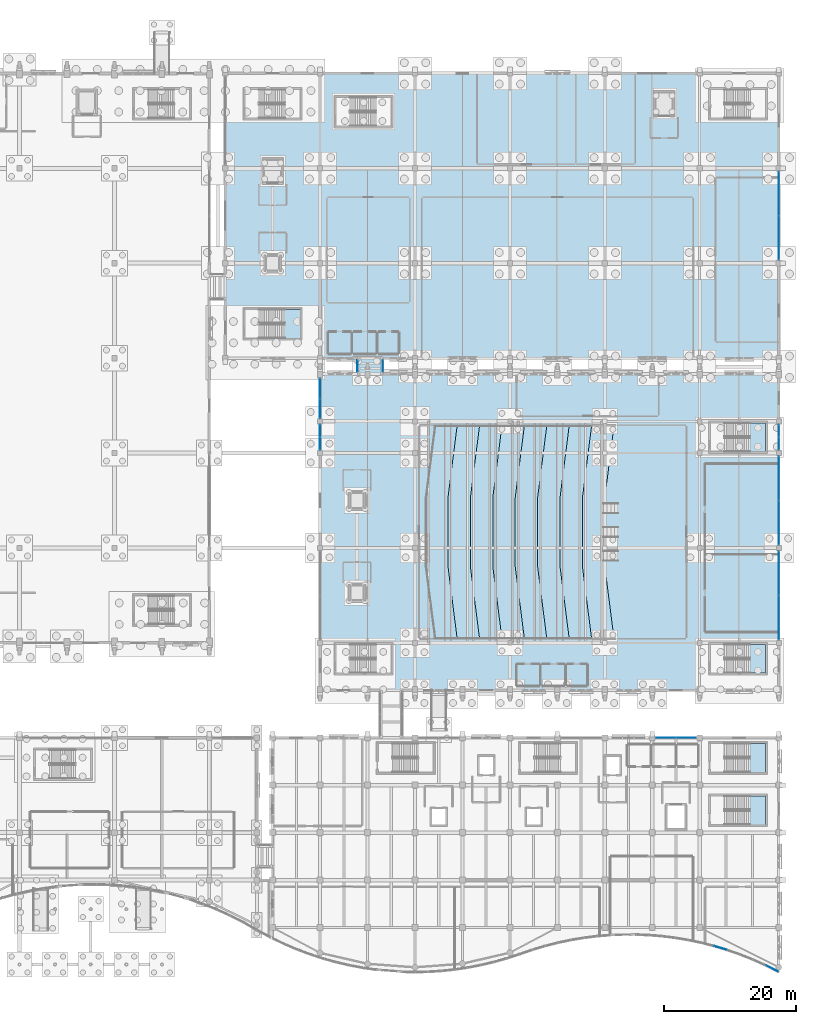
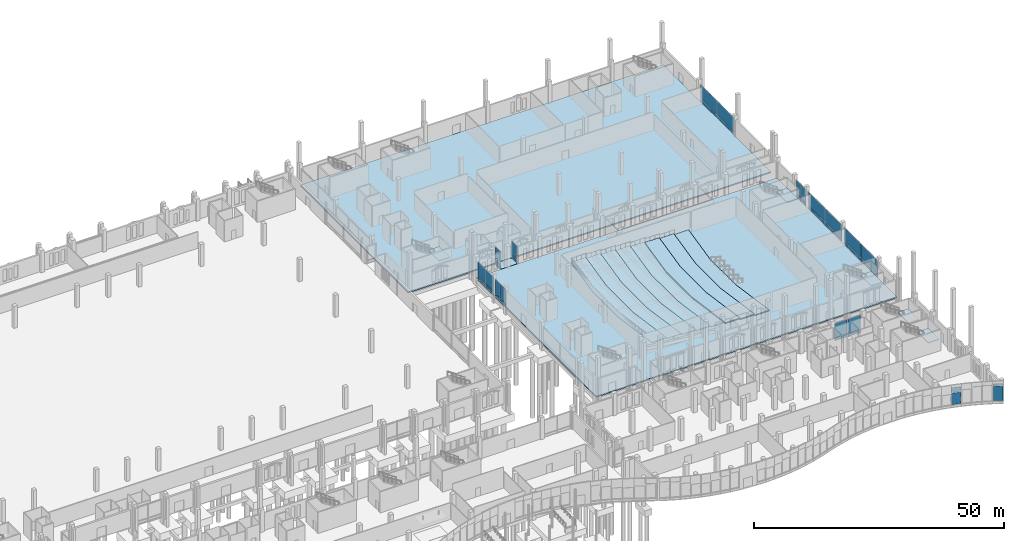
# One storey, part 128 of 192: 36 plates, 16 slabs, 16 elements without a shape of their own.
"""IFC4 building model written with IfcOpenShell, lengths in metres."""

from ifc_helpers import new_model, si_unit, direction, frame, origin, origin_2d, place, context, subcontext, project, spatial, polyline, rectangle, outline, extrude, material, layer, layer_set, type_object, element, aggregate, save


model = new_model("IFC4")

# Units and contexts
model_context = context("Model", 3, precision=1e-05, world=origin(), true_north=direction((0.0, 1.0)))
body_context = subcontext(model_context, "Body", "Model", "MODEL_VIEW")
ifc_project = project(units=[si_unit("LENGTHUNIT", "METRE"), si_unit("AREAUNIT", "SQUARE_METRE"), si_unit("VOLUMEUNIT", "CUBIC_METRE"), si_unit("PLANEANGLEUNIT", "RADIAN"), si_unit("MASSUNIT", "GRAM", prefix="KILO")], contexts=[model_context])

# Site, building, storey
site_placement = place(None, origin())
site = spatial("IfcSite", under=ifc_project, at=site_placement, CompositionType="ELEMENT")
building_placement = place(site_placement, origin())
building = spatial("IfcBuilding", under=site, at=building_placement, Name="Cendralis Lancet Convention Centre", CompositionType="ELEMENT")
storey_placement = place(building_placement, origin())
storey = spatial("IfcBuildingStorey", under=building, at=storey_placement, Name="L00", CompositionType="ELEMENT", Elevation=0.0)

# Curtain wall, plate
ifc_material_1 = material(Name="Anodised bronze architectural aluminium", Category="aluminium")
curtain_wall_type_1 = type_object("IfcCurtainWallType", Name="ARC-CW-WF02", PredefinedType="USERDEFINED", material=ifc_material_1)
curtain_wall_1_placement = place(storey_placement, origin())
curtain_wall_1 = element("IfcCurtainWall", 1, at=curtain_wall_1_placement, inside=storey, type_object=curtain_wall_type_1, Name="L00 Curtain Wall CW-WF2 #086", ObjectType="CURTAIN WALL", PredefinedType="USERDEFINED")
ifc_material_2 = material(Name="Double-glazed low-E solar-control glass", Category="glass")
ifc_layer_1 = layer(ifc_material_2, 0.035888671875, Name="Double-glazed low-E solar-control glass")
ifc_layer_set_1 = layer_set([ifc_layer_1], Name="Double-glazed low-E solar-control glass")
plate_type_1 = type_object("IfcPlateType", Name="ARC-PL-GL01", PredefinedType="CURTAIN_PANEL", material=ifc_layer_set_1)
plate_1_placement = place(storey_placement, frame((199.9384765625, 4.112060546875, 0.52001953125), z_axis=(0.0, 0.0, 1.0), x_axis=(0.957652089178, -0.287927900859, 0.0)))
plate_1 = element("IfcPlate", 2, at=plate_1_placement, type_object=plate_type_1, Name="Vision Glass Panel CW2-CW-WF2-L00-086-PG0", PredefinedType="CURTAIN_PANEL", context=body_context, shape_type="SweptSolid", body=[
    extrude(rectangle(XDim=1.916015625, YDim=0.035888671875, at=origin_2d()), origin(), (0.0, 0.0, 1.0), 2.824951171875),
])

curtain_wall_2_placement = place(storey_placement, origin())
curtain_wall_2 = element("IfcCurtainWall", 3, at=curtain_wall_2_placement, inside=storey, type_object=curtain_wall_type_1, Name="L00 Curtain Wall CW-WF2 #090", ObjectType="CURTAIN WALL", PredefinedType="USERDEFINED")
plate_2_placement = place(storey_placement, frame((207.8154296875, 0.96240234375, 0.52001953125), z_axis=(0.0, 0.0, 1.0), x_axis=(0.89215022376, -0.45173883854, 0.0)))
plate_2 = element("IfcPlate", 4, at=plate_2_placement, type_object=plate_type_1, Name="Vision Glass Panel CW2-CW-WF2-L00-090-PG0", PredefinedType="CURTAIN_PANEL", context=body_context, shape_type="SweptSolid", body=[
    extrude(rectangle(XDim=2.06689453125, YDim=0.035888671875, at=origin_2d()), origin(), (0.0, 0.0, 1.0), 3.531982421875),
])

curtain_wall_type_2 = type_object("IfcCurtainWallType", Name="ARC-CW-BR01", PredefinedType="USERDEFINED", material=ifc_material_1)
curtain_wall_3_placement = place(storey_placement, origin())
curtain_wall_3 = element("IfcCurtainWall", 5, at=curtain_wall_3_placement, inside=storey, type_object=curtain_wall_type_2, Name="L00 Curtain Wall CW-BR1 #195", ObjectType="CURTAIN WALL", PredefinedType="USERDEFINED")
plate_3_placement = place(storey_placement, frame((144.8798828125, 92.39990234375, 0.81982421875), z_axis=(0.0, 0.0, 1.0), x_axis=(0.0, 1.0, 0.0)))
plate_3 = element("IfcPlate", 6, at=plate_3_placement, type_object=plate_type_1, Name="Vision Glass Panel CW2-CW-BR1-L00-195-PG0", PredefinedType="CURTAIN_PANEL", context=body_context, shape_type="SweptSolid", body=[
    extrude(rectangle(XDim=1.760009765625, YDim=0.035888671875, at=origin_2d()), origin(), (0.0, 0.0, 1.0), 3.360107421875),
])

curtain_wall_4_placement = place(storey_placement, origin())
curtain_wall_4 = element("IfcCurtainWall", 7, at=curtain_wall_4_placement, inside=storey, type_object=curtain_wall_type_2, Name="L00 Curtain Wall CW-BR1 #196", ObjectType="CURTAIN WALL", PredefinedType="USERDEFINED")
plate_4_placement = place(storey_placement, frame((148.719970703125, 92.39990234375, 0.81982421875), z_axis=(0.0, 0.0, 1.0), x_axis=(0.0, 1.0, 0.0)))
plate_4 = element("IfcPlate", 8, at=plate_4_placement, type_object=plate_type_1, Name="Vision Glass Panel CW2-CW-BR1-L00-196-PG0", PredefinedType="CURTAIN_PANEL", context=body_context, shape_type="SweptSolid", body=[
    extrude(rectangle(XDim=1.760009765625, YDim=0.035888671875, at=origin_2d()), origin(), (0.0, 0.0, 1.0), 3.360107421875),
])

# Curtain wall, plates
curtain_wall_type_3 = type_object("IfcCurtainWallType", Name="ARC-CW-PL01", PredefinedType="USERDEFINED", material=ifc_material_1)
curtain_wall_5_placement = place(storey_placement, origin())
curtain_wall_5 = element("IfcCurtainWall", 9, at=curtain_wall_5_placement, inside=storey, type_object=curtain_wall_type_3, Name="L00 Curtain Wall CW-PL1 #113", ObjectType="CURTAIN WALL", PredefinedType="USERDEFINED")
ifc_layer_2 = layer(ifc_material_2, 0.035888671875, Name="Double-glazed low-E solar-control glass")
ifc_layer_set_2 = layer_set([ifc_layer_2], Name="Double-glazed low-E solar-control glass")
plate_type_2 = type_object("IfcPlateType", Name="ARC-PL-GL02", PredefinedType="CURTAIN_PANEL", material=ifc_layer_set_2)
plate_5_placement = place(storey_placement, frame((208.800048828125, 60.987548828125, 0.830078125), z_axis=(0.0, 0.0, 1.0), x_axis=(0.0, -1.0, 0.0)))
plate_5 = element("IfcPlate", 10, at=plate_5_placement, type_object=plate_type_2, Name="Vision Glass Panel CW2-CW-PL1-L00-113-PG0", PredefinedType="CURTAIN_PANEL", context=body_context, shape_type="SweptSolid", body=[
    extrude(rectangle(XDim=6.614990234375, YDim=0.035888671875, at=origin_2d()), origin(), (0.0, 0.0, 1.0), 3.344970703125),
])
plate_6_placement = place(storey_placement, frame((208.800048828125, 54.21240234375, 0.830078125), z_axis=(0.0, 0.0, 1.0), x_axis=(0.0, -1.0, 0.0)))
plate_6 = element("IfcPlate", 11, at=plate_6_placement, type_object=plate_type_2, Name="Vision Glass Panel CW2-CW-PL1-L00-113-PG1", PredefinedType="CURTAIN_PANEL", context=body_context, shape_type="SweptSolid", body=[
    extrude(rectangle(XDim=6.614990234375, YDim=0.035888671875, at=origin_2d()), origin(), (0.0, 0.0, 1.0), 3.344970703125),
])

curtain_wall_6_placement = place(storey_placement, origin())
curtain_wall_6 = element("IfcCurtainWall", 12, at=curtain_wall_6_placement, inside=storey, type_object=curtain_wall_type_3, Name="L00 Curtain Wall CW-PL1 #114", ObjectType="CURTAIN WALL", PredefinedType="USERDEFINED")
plate_7_placement = place(storey_placement, frame((208.800048828125, 75.387451171875, 0.830078125), z_axis=(0.0, 0.0, 1.0), x_axis=(0.0, -1.0, 0.0)))
plate_7 = element("IfcPlate", 13, at=plate_7_placement, type_object=plate_type_2, Name="Vision Glass Panel CW2-CW-PL1-L00-114-PG0", PredefinedType="CURTAIN_PANEL", context=body_context, shape_type="SweptSolid", body=[
    extrude(rectangle(XDim=6.614990234375, YDim=0.035888671875, at=origin_2d()), origin(), (0.0, 0.0, 1.0), 3.344970703125),
])
plate_8_placement = place(storey_placement, frame((208.800048828125, 68.612548828125, 0.830078125), z_axis=(0.0, 0.0, 1.0), x_axis=(0.0, -1.0, 0.0)))
plate_8 = element("IfcPlate", 14, at=plate_8_placement, type_object=plate_type_2, Name="Vision Glass Panel CW2-CW-PL1-L00-114-PG1", PredefinedType="CURTAIN_PANEL", context=body_context, shape_type="SweptSolid", body=[
    extrude(rectangle(XDim=6.614990234375, YDim=0.035888671875, at=origin_2d()), origin(), (0.0, 0.0, 1.0), 3.344970703125),
])

curtain_wall_7_placement = place(storey_placement, origin())
curtain_wall_7 = element("IfcCurtainWall", 15, at=curtain_wall_7_placement, inside=storey, type_object=curtain_wall_type_3, Name="L00 Curtain Wall CW-PL1 #115", ObjectType="CURTAIN WALL", PredefinedType="USERDEFINED")
plate_9_placement = place(storey_placement, frame((208.800048828125, 82.58740234375, 0.830078125), z_axis=(0.0, 0.0, 1.0), x_axis=(0.0, -1.0, 0.0)))
plate_9 = element("IfcPlate", 16, at=plate_9_placement, type_object=plate_type_2, Name="Vision Glass Panel CW2-CW-PL1-L00-115-PG0", PredefinedType="CURTAIN_PANEL", context=body_context, shape_type="SweptSolid", body=[
    extrude(rectangle(XDim=1.81494140625, YDim=0.035888671875, at=origin_2d()), origin(), (0.0, 0.0, 1.0), 3.344970703125),
])
plate_10_placement = place(storey_placement, frame((208.800048828125, 80.612548828125, 0.830078125), z_axis=(0.0, 0.0, 1.0), x_axis=(0.0, -1.0, 0.0)))
plate_10 = element("IfcPlate", 17, at=plate_10_placement, type_object=plate_type_2, Name="Vision Glass Panel CW2-CW-PL1-L00-115-PG1", PredefinedType="CURTAIN_PANEL", context=body_context, shape_type="SweptSolid", body=[
    extrude(rectangle(XDim=1.81494140625, YDim=0.035888671875, at=origin_2d()), origin(), (0.0, 0.0, 1.0), 3.344970703125),
])

curtain_wall_type_4 = type_object("IfcCurtainWallType", Name="ARC-CW-BL02", PredefinedType="USERDEFINED", material=ifc_material_1)
curtain_wall_8_placement = place(storey_placement, origin())
curtain_wall_8 = element("IfcCurtainWall", 18, at=curtain_wall_8_placement, inside=storey, type_object=curtain_wall_type_4, Name="L00 Curtain Wall CW-BL2 #147", ObjectType="CURTAIN WALL", PredefinedType="USERDEFINED")
plate_11_placement = place(storey_placement, frame((208.800048828125, 118.574951171875, 0.81982421875), z_axis=(0.0, 0.0, 1.0), x_axis=(0.0, -1.0, 0.0)))
plate_11 = element("IfcPlate", 19, at=plate_11_placement, type_object=plate_type_2, Name="Vision Glass Panel CW2-CW-BL2-L00-147-PG0", PredefinedType="CURTAIN_PANEL", context=body_context, shape_type="SweptSolid", body=[
    extrude(rectangle(XDim=6.590087890625, YDim=0.035888671875, at=origin_2d()), origin(), (0.0, 0.0, 1.0), 3.364990234375),
])
plate_12_placement = place(storey_placement, frame((208.800048828125, 111.824951171875, 0.81982421875), z_axis=(0.0, 0.0, 1.0), x_axis=(0.0, -1.0, 0.0)))
plate_12 = element("IfcPlate", 20, at=plate_12_placement, type_object=plate_type_2, Name="Vision Glass Panel CW2-CW-BL2-L00-147-PG1", PredefinedType="CURTAIN_PANEL", context=body_context, shape_type="SweptSolid", body=[
    extrude(rectangle(XDim=6.590087890625, YDim=0.035888671875, at=origin_2d()), origin(), (0.0, 0.0, 1.0), 3.364990234375),
])

curtain_wall_9_placement = place(storey_placement, origin())
curtain_wall_9 = element("IfcCurtainWall", 21, at=curtain_wall_9_placement, inside=storey, type_object=curtain_wall_type_3, Name="L00 Curtain Wall CW-PL1 #111", ObjectType="CURTAIN WALL", PredefinedType="USERDEFINED")
ifc_layer_3 = layer(ifc_material_2, 0.035888671875, Name="Double-glazed low-E solar-control glass")
ifc_layer_set_3 = layer_set([ifc_layer_3], Name="Double-glazed low-E solar-control glass")
plate_type_3 = type_object("IfcPlateType", Name="ARC-PL-GL03", PredefinedType="CURTAIN_PANEL", material=ifc_layer_set_3)
plate_13_placement = place(storey_placement, frame((139.199951171875, 80.612548828125, 0.81982421875), z_axis=(0.0, 0.0, 1.0), x_axis=(0.0, 1.0, 0.0)))
plate_13 = element("IfcPlate", 22, at=plate_13_placement, type_object=plate_type_3, Name="Vision Glass Panel CW2-CW-PL1-L00-111-PG0", PredefinedType="CURTAIN_PANEL", context=body_context, shape_type="SweptSolid", body=[
    extrude(rectangle(XDim=1.81494140625, YDim=0.035888671875, at=origin_2d()), origin(), (0.0, 0.0, 1.0), 3.364990234375),
])
plate_14_placement = place(storey_placement, frame((139.199951171875, 82.58740234375, 0.81982421875), z_axis=(0.0, 0.0, 1.0), x_axis=(0.0, 1.0, 0.0)))
plate_14 = element("IfcPlate", 23, at=plate_14_placement, type_object=plate_type_3, Name="Vision Glass Panel CW2-CW-PL1-L00-111-PG1", PredefinedType="CURTAIN_PANEL", context=body_context, shape_type="SweptSolid", body=[
    extrude(rectangle(XDim=1.81494140625, YDim=0.035888671875, at=origin_2d()), origin(), (0.0, 0.0, 1.0), 3.364990234375),
])

curtain_wall_10_placement = place(storey_placement, origin())
curtain_wall_10 = element("IfcCurtainWall", 24, at=curtain_wall_10_placement, inside=storey, type_object=curtain_wall_type_3, Name="L00 Curtain Wall CW-PL1 #112", ObjectType="CURTAIN WALL", PredefinedType="USERDEFINED")
plate_15_placement = place(storey_placement, frame((139.199951171875, 85.956298828125, 0.81982421875), z_axis=(0.0, 0.0, 1.0), x_axis=(0.0, 1.0, 0.0)))
plate_15 = element("IfcPlate", 25, at=plate_15_placement, type_object=plate_type_3, Name="Vision Glass Panel CW2-CW-PL1-L00-112-PG0", PredefinedType="CURTAIN_PANEL", context=body_context, shape_type="SweptSolid", body=[
    extrude(rectangle(XDim=2.902587890625, YDim=0.035888671875, at=origin_2d()), origin(), (0.0, 0.0, 1.0), 3.364990234375),
])
plate_16_placement = place(storey_placement, frame((139.199951171875, 89.018798828125, 0.81982421875), z_axis=(0.0, 0.0, 1.0), x_axis=(0.0, 1.0, 0.0)))
plate_16 = element("IfcPlate", 26, at=plate_16_placement, type_object=plate_type_3, Name="Vision Glass Panel CW2-CW-PL1-L00-112-PG1", PredefinedType="CURTAIN_PANEL", context=body_context, shape_type="SweptSolid", body=[
    extrude(rectangle(XDim=2.902587890625, YDim=0.035888671875, at=origin_2d()), origin(), (0.0, 0.0, 1.0), 3.364990234375),
])

curtain_wall_type_5 = type_object("IfcCurtainWallType", Name="ARC-CW-CL01", PredefinedType="USERDEFINED", material=ifc_material_1)
curtain_wall_11_placement = place(storey_placement, origin())
curtain_wall_11 = element("IfcCurtainWall", 27, at=curtain_wall_11_placement, inside=storey, type_object=curtain_wall_type_5, Name="L00 Curtain Wall CW-CL1 #181", ObjectType="CURTAIN WALL", PredefinedType="USERDEFINED")
plate_17_placement = place(storey_placement, frame((191.64990234375, 36.0, 0.81982421875), z_axis=(0.0, 0.0, 1.0), x_axis=(1.0, 0.0, 0.0)))
plate_17 = element("IfcPlate", 28, at=plate_17_placement, type_object=plate_type_3, Name="Vision Glass Panel CW2-CW-CL1-L00-181-PG0", PredefinedType="CURTAIN_PANEL", context=body_context, shape_type="SweptSolid", body=[
    extrude(rectangle(XDim=2.9599609375, YDim=0.035888671875, at=origin_2d()), origin(), (0.0, 0.0, 1.0), 3.465087890625),
])
plate_18_placement = place(storey_placement, frame((194.75, 36.0, 0.81982421875), z_axis=(0.0, 0.0, 1.0), x_axis=(1.0, 0.0, 0.0)))
plate_18 = element("IfcPlate", 29, at=plate_18_placement, type_object=plate_type_3, Name="Vision Glass Panel CW2-CW-CL1-L00-181-PG1", PredefinedType="CURTAIN_PANEL", context=body_context, shape_type="SweptSolid", body=[
    extrude(rectangle(XDim=2.9599609375, YDim=0.035888671875, at=origin_2d()), origin(), (0.0, 0.0, 1.0), 3.465087890625),
])

# Plate
ifc_material_3 = material(Name="Insulated ceramic-fritted spandrel glass", Category="glass")
ifc_layer_4 = layer(ifc_material_3, 0.044921875, Name="Insulated ceramic-fritted spandrel glass")
ifc_layer_set_4 = layer_set([ifc_layer_4], Name="Insulated ceramic-fritted spandrel glass")
plate_type_4 = type_object("IfcPlateType", Name="ARC-PL-SP01", PredefinedType="CURTAIN_PANEL", material=ifc_layer_set_4)
plate_19_placement = place(storey_placement, frame((199.9384765625, 4.112060546875, 3.48486328125), z_axis=(0.0, 0.0, 1.0), x_axis=(0.957652089178, -0.287927900859, 0.0)))
plate_19 = element("IfcPlate", 30, at=plate_19_placement, type_object=plate_type_4, Name="Spandrel Panel CW2-CW-WF2-L00-086-PS0", PredefinedType="CURTAIN_PANEL", context=body_context, shape_type="SweptSolid", body=[
    extrude(rectangle(XDim=1.916015625, YDim=0.044921875, at=origin_2d()), origin(), (0.0, 0.0, 1.0), 1.199951171875),
])

aggregate(curtain_wall_1, [plate_1, plate_19])

plate_20_placement = place(storey_placement, frame((207.8154296875, 0.96240234375, 4.19189453125), z_axis=(0.0, 0.0, 1.0), x_axis=(0.89215022376, -0.45173883854, 0.0)))
plate_20 = element("IfcPlate", 31, at=plate_20_placement, type_object=plate_type_4, Name="Spandrel Panel CW2-CW-WF2-L00-090-PS0", PredefinedType="CURTAIN_PANEL", context=body_context, shape_type="SweptSolid", body=[
    extrude(rectangle(XDim=2.06689453125, YDim=0.044921875, at=origin_2d()), origin(), (0.0, 0.0, 1.0), 0.492919921875),
])

aggregate(curtain_wall_2, [plate_2, plate_20])

plate_21_placement = place(storey_placement, frame((139.199951171875, 80.612548828125, 0.06982421875), z_axis=(0.0, 0.0, 1.0), x_axis=(0.0, 1.0, 0.0)))
plate_21 = element("IfcPlate", 32, at=plate_21_placement, type_object=plate_type_4, Name="Spandrel Panel CW2-CW-PL1-L00-111-PS0", PredefinedType="CURTAIN_PANEL", context=body_context, shape_type="SweptSolid", body=[
    extrude(rectangle(XDim=1.81494140625, YDim=0.044921875, at=origin_2d()), origin(), (0.0, 0.0, 1.0), 0.610107421875),
])

plate_22_placement = place(storey_placement, frame((139.199951171875, 82.58740234375, 0.06982421875), z_axis=(0.0, 0.0, 1.0), x_axis=(0.0, 1.0, 0.0)))
plate_22 = element("IfcPlate", 33, at=plate_22_placement, type_object=plate_type_4, Name="Spandrel Panel CW2-CW-PL1-L00-111-PS1", PredefinedType="CURTAIN_PANEL", context=body_context, shape_type="SweptSolid", body=[
    extrude(rectangle(XDim=1.81494140625, YDim=0.044921875, at=origin_2d()), origin(), (0.0, 0.0, 1.0), 0.610107421875),
])

aggregate(curtain_wall_9, [plate_21, plate_13, plate_22, plate_14])

plate_23_placement = place(storey_placement, frame((139.199951171875, 85.956298828125, 0.06982421875), z_axis=(0.0, 0.0, 1.0), x_axis=(0.0, 1.0, 0.0)))
plate_23 = element("IfcPlate", 34, at=plate_23_placement, type_object=plate_type_4, Name="Spandrel Panel CW2-CW-PL1-L00-112-PS0", PredefinedType="CURTAIN_PANEL", context=body_context, shape_type="SweptSolid", body=[
    extrude(rectangle(XDim=2.902587890625, YDim=0.044921875, at=origin_2d()), origin(), (0.0, 0.0, 1.0), 0.610107421875),
])

plate_24_placement = place(storey_placement, frame((139.199951171875, 89.018798828125, 0.06982421875), z_axis=(0.0, 0.0, 1.0), x_axis=(0.0, 1.0, 0.0)))
plate_24 = element("IfcPlate", 35, at=plate_24_placement, type_object=plate_type_4, Name="Spandrel Panel CW2-CW-PL1-L00-112-PS1", PredefinedType="CURTAIN_PANEL", context=body_context, shape_type="SweptSolid", body=[
    extrude(rectangle(XDim=2.902587890625, YDim=0.044921875, at=origin_2d()), origin(), (0.0, 0.0, 1.0), 0.610107421875),
])

aggregate(curtain_wall_10, [plate_23, plate_15, plate_24, plate_16])

plate_25_placement = place(storey_placement, frame((208.800048828125, 60.987548828125, 0.080078125), z_axis=(0.0, 0.0, 1.0), x_axis=(0.0, -1.0, 0.0)))
plate_25 = element("IfcPlate", 36, at=plate_25_placement, type_object=plate_type_4, Name="Spandrel Panel CW2-CW-PL1-L00-113-PS0", PredefinedType="CURTAIN_PANEL", context=body_context, shape_type="SweptSolid", body=[
    extrude(rectangle(XDim=6.614990234375, YDim=0.044921875, at=origin_2d()), origin(), (0.0, 0.0, 1.0), 0.590087890625),
])

plate_26_placement = place(storey_placement, frame((208.800048828125, 54.21240234375, 0.080078125), z_axis=(0.0, 0.0, 1.0), x_axis=(0.0, -1.0, 0.0)))
plate_26 = element("IfcPlate", 37, at=plate_26_placement, type_object=plate_type_4, Name="Spandrel Panel CW2-CW-PL1-L00-113-PS1", PredefinedType="CURTAIN_PANEL", context=body_context, shape_type="SweptSolid", body=[
    extrude(rectangle(XDim=6.614990234375, YDim=0.044921875, at=origin_2d()), origin(), (0.0, 0.0, 1.0), 0.590087890625),
])

aggregate(curtain_wall_5, [plate_25, plate_5, plate_26, plate_6])

plate_27_placement = place(storey_placement, frame((208.800048828125, 75.387451171875, 0.080078125), z_axis=(0.0, 0.0, 1.0), x_axis=(0.0, -1.0, 0.0)))
plate_27 = element("IfcPlate", 38, at=plate_27_placement, type_object=plate_type_4, Name="Spandrel Panel CW2-CW-PL1-L00-114-PS0", PredefinedType="CURTAIN_PANEL", context=body_context, shape_type="SweptSolid", body=[
    extrude(rectangle(XDim=6.614990234375, YDim=0.044921875, at=origin_2d()), origin(), (0.0, 0.0, 1.0), 0.590087890625),
])

plate_28_placement = place(storey_placement, frame((208.800048828125, 68.612548828125, 0.080078125), z_axis=(0.0, 0.0, 1.0), x_axis=(0.0, -1.0, 0.0)))
plate_28 = element("IfcPlate", 39, at=plate_28_placement, type_object=plate_type_4, Name="Spandrel Panel CW2-CW-PL1-L00-114-PS1", PredefinedType="CURTAIN_PANEL", context=body_context, shape_type="SweptSolid", body=[
    extrude(rectangle(XDim=6.614990234375, YDim=0.044921875, at=origin_2d()), origin(), (0.0, 0.0, 1.0), 0.590087890625),
])

aggregate(curtain_wall_6, [plate_27, plate_7, plate_28, plate_8])

plate_29_placement = place(storey_placement, frame((208.800048828125, 82.58740234375, 0.080078125), z_axis=(0.0, 0.0, 1.0), x_axis=(0.0, -1.0, 0.0)))
plate_29 = element("IfcPlate", 40, at=plate_29_placement, type_object=plate_type_4, Name="Spandrel Panel CW2-CW-PL1-L00-115-PS0", PredefinedType="CURTAIN_PANEL", context=body_context, shape_type="SweptSolid", body=[
    extrude(rectangle(XDim=1.81494140625, YDim=0.044921875, at=origin_2d()), origin(), (0.0, 0.0, 1.0), 0.590087890625),
])

plate_30_placement = place(storey_placement, frame((208.800048828125, 80.612548828125, 0.080078125), z_axis=(0.0, 0.0, 1.0), x_axis=(0.0, -1.0, 0.0)))
plate_30 = element("IfcPlate", 41, at=plate_30_placement, type_object=plate_type_4, Name="Spandrel Panel CW2-CW-PL1-L00-115-PS1", PredefinedType="CURTAIN_PANEL", context=body_context, shape_type="SweptSolid", body=[
    extrude(rectangle(XDim=1.81494140625, YDim=0.044921875, at=origin_2d()), origin(), (0.0, 0.0, 1.0), 0.590087890625),
])

aggregate(curtain_wall_7, [plate_29, plate_9, plate_30, plate_10])

plate_31_placement = place(storey_placement, frame((208.800048828125, 118.574951171875, 0.06982421875), z_axis=(0.0, 0.0, 1.0), x_axis=(0.0, -1.0, 0.0)))
plate_31 = element("IfcPlate", 42, at=plate_31_placement, type_object=plate_type_4, Name="Spandrel Panel CW2-CW-BL2-L00-147-PS0", PredefinedType="CURTAIN_PANEL", context=body_context, shape_type="SweptSolid", body=[
    extrude(rectangle(XDim=6.590087890625, YDim=0.044921875, at=origin_2d()), origin(), (0.0, 0.0, 1.0), 0.610107421875),
])

plate_32_placement = place(storey_placement, frame((208.800048828125, 111.824951171875, 0.06982421875), z_axis=(0.0, 0.0, 1.0), x_axis=(0.0, -1.0, 0.0)))
plate_32 = element("IfcPlate", 43, at=plate_32_placement, type_object=plate_type_4, Name="Spandrel Panel CW2-CW-BL2-L00-147-PS1", PredefinedType="CURTAIN_PANEL", context=body_context, shape_type="SweptSolid", body=[
    extrude(rectangle(XDim=6.590087890625, YDim=0.044921875, at=origin_2d()), origin(), (0.0, 0.0, 1.0), 0.610107421875),
])

aggregate(curtain_wall_8, [plate_31, plate_11, plate_32, plate_12])

plate_33_placement = place(storey_placement, frame((191.64990234375, 36.0, 0.06982421875), z_axis=(0.0, 0.0, 1.0), x_axis=(1.0, 0.0, 0.0)))
plate_33 = element("IfcPlate", 44, at=plate_33_placement, type_object=plate_type_4, Name="Spandrel Panel CW2-CW-CL1-L00-181-PS0", PredefinedType="CURTAIN_PANEL", context=body_context, shape_type="SweptSolid", body=[
    extrude(rectangle(XDim=2.9599609375, YDim=0.044921875, at=origin_2d()), origin(), (0.0, 0.0, 1.0), 0.610107421875),
])

plate_34_placement = place(storey_placement, frame((194.75, 36.0, 0.06982421875), z_axis=(0.0, 0.0, 1.0), x_axis=(1.0, 0.0, 0.0)))
plate_34 = element("IfcPlate", 45, at=plate_34_placement, type_object=plate_type_4, Name="Spandrel Panel CW2-CW-CL1-L00-181-PS1", PredefinedType="CURTAIN_PANEL", context=body_context, shape_type="SweptSolid", body=[
    extrude(rectangle(XDim=2.9599609375, YDim=0.044921875, at=origin_2d()), origin(), (0.0, 0.0, 1.0), 0.610107421875),
])

aggregate(curtain_wall_11, [plate_33, plate_17, plate_34, plate_18])

plate_35_placement = place(storey_placement, frame((144.8798828125, 92.39990234375, 0.06982421875), z_axis=(0.0, 0.0, 1.0), x_axis=(0.0, 1.0, 0.0)))
plate_35 = element("IfcPlate", 46, at=plate_35_placement, type_object=plate_type_4, Name="Spandrel Panel CW2-CW-BR1-L00-195-PS0", PredefinedType="CURTAIN_PANEL", context=body_context, shape_type="SweptSolid", body=[
    extrude(rectangle(XDim=1.760009765625, YDim=0.044921875, at=origin_2d()), origin(), (0.0, 0.0, 1.0), 0.610107421875),
])

aggregate(curtain_wall_3, [plate_35, plate_3])

plate_36_placement = place(storey_placement, frame((148.719970703125, 92.39990234375, 0.06982421875), z_axis=(0.0, 0.0, 1.0), x_axis=(0.0, 1.0, 0.0)))
plate_36 = element("IfcPlate", 47, at=plate_36_placement, type_object=plate_type_4, Name="Spandrel Panel CW2-CW-BR1-L00-196-PS0", PredefinedType="CURTAIN_PANEL", context=body_context, shape_type="SweptSolid", body=[
    extrude(rectangle(XDim=1.760009765625, YDim=0.044921875, at=origin_2d()), origin(), (0.0, 0.0, 1.0), 0.610107421875),
])

aggregate(curtain_wall_4, [plate_36, plate_4])

# Slabs
ifc_material_4 = material(Name="Concrete G35 (C35/45)", Category="concrete")
ifc_layer_5 = layer(ifc_material_4, 0.219970703125, Name="Concrete G35 (C35/45)")
ifc_layer_set_5 = layer_set([ifc_layer_5], Name="Concrete G35 (C35/45)")
slab_type_1 = type_object("IfcSlabType", Name="STR-SL-FS22", PredefinedType="FLOOR", material=ifc_layer_set_5)
slab_1_placement = place(storey_placement, frame((0.0, 0.0, -0.219970703125)))
element("IfcSlab", 48, at=slab_1_placement, inside=storey, type_object=slab_type_1, Name="Plenary-Ballroom Link Bridge Link Slab L00", PredefinedType="FLOOR", context=body_context, shape_type="SweptSolid", body=[
    extrude(outline(polyline([(145.14990234375, 91.199951171875), (148.449951171875, 91.199951171875), (148.800048828125, 91.550048828125), (148.800048828125, 93.25), (148.449951171875, 93.60009765625), (145.14990234375, 93.60009765625), (144.800048828125, 93.25), (144.800048828125, 91.550048828125), (145.14990234375, 91.199951171875)])), origin(), (0.0, 0.0, 1.0), 0.219970703125),
])
ifc_layer_6 = layer(ifc_material_4, 0.300048828125, Name="Concrete G35 (C35/45)")
ifc_layer_set_6 = layer_set([ifc_layer_6], Name="Concrete G35 (C35/45)")
slab_type_2 = type_object("IfcSlabType", Name="STR-SL-FS30", PredefinedType="FLOOR", material=ifc_layer_set_6)
slab_2_placement = place(storey_placement, frame((0.0, 0.0, -0.300048828125)))
element("IfcSlab", 49, at=slab_2_placement, inside=storey, type_object=slab_type_2, Name="L00 V2 Floor Slab FS-300", PredefinedType="FLOOR", context=body_context, shape_type="SweptSolid", body=[
    extrude(outline(polyline([(139.199951171875, 43.199951171875), (208.800048828125, 43.199951171875), (208.800048828125, 91.199951171875), (139.199951171875, 91.199951171875), (139.199951171875, 43.199951171875)])), origin(), (0.0, 0.0, 1.0), 0.300048828125),
])
slab_3_placement = place(storey_placement, frame((0.0, 0.0, -0.300048828125)))
element("IfcSlab", 50, at=slab_3_placement, inside=storey, type_object=slab_type_2, Name="L00 V3 Floor Slab FS-300", PredefinedType="FLOOR", context=body_context, shape_type="SweptSolid", body=[
    extrude(outline(polyline([(124.800048828125, 93.60009765625), (208.800048828125, 93.60009765625), (208.800048828125, 136.800048828125), (124.800048828125, 136.800048828125), (124.800048828125, 93.60009765625)])), origin(), (0.0, 0.0, 1.0), 0.300048828125),
])

# Stair, slab
stair_type = type_object("IfcStairType", Name="ARC-ST-CORE", PredefinedType="HALF_TURN_STAIR", material=ifc_material_4)
stair_1_placement = place(storey_placement, origin())
stair_1 = element("IfcStair", 51, at=stair_1_placement, inside=storey, type_object=stair_type, Name="L00 Protected Exit Stair ST-07", PredefinedType="HALF_TURN_STAIR")
ifc_layer_7 = layer(ifc_material_4, 0.199951171875, Name="Concrete G35 (C35/45)")
ifc_layer_set_7 = layer_set([ifc_layer_7], Name="Concrete G35 (C35/45)")
slab_type_3 = type_object("IfcSlabType", Name="STR-SL-LAND", PredefinedType="LANDING", material=ifc_layer_set_7)
slab_4_placement = place(storey_placement, frame((0.0, 0.0, 2.5)))
slab_4 = element("IfcSlab", 52, at=slab_4_placement, type_object=slab_type_3, Name="ST-07 landing 1", PredefinedType="LANDING", context=body_context, shape_type="SweptSolid", body=[
    extrude(outline(polyline([(133.7099609375, 96.60009765625), (136.199951171875, 96.60009765625), (136.199951171875, 100.97998046875), (133.7099609375, 100.97998046875), (133.7099609375, 96.60009765625)])), origin(), (0.0, 0.0, 1.0), 0.199951171875),
])
aggregate(stair_1, [slab_4])

stair_2_placement = place(storey_placement, origin())
stair_2 = element("IfcStair", 53, at=stair_2_placement, inside=storey, type_object=stair_type, Name="L00 Protected Exit Stair ST-09", PredefinedType="HALF_TURN_STAIR")
slab_5_placement = place(storey_placement, frame((0.0, 0.0, 2.5)))
slab_5 = element("IfcSlab", 54, at=slab_5_placement, type_object=slab_type_3, Name="ST-09 landing 1", PredefinedType="LANDING", context=body_context, shape_type="SweptSolid", body=[
    extrude(outline(polyline([(204.31005859375, 45.800048828125), (206.800048828125, 45.800048828125), (206.800048828125, 50.179931640625), (204.31005859375, 50.179931640625), (204.31005859375, 45.800048828125)])), origin(), (0.0, 0.0, 1.0), 0.199951171875),
])
aggregate(stair_2, [slab_5])

stair_3_placement = place(storey_placement, origin())
stair_3 = element("IfcStair", 55, at=stair_3_placement, inside=storey, type_object=stair_type, Name="L00 Protected Exit Stair ST-10", PredefinedType="HALF_TURN_STAIR")
slab_6_placement = place(storey_placement, frame((0.0, 0.0, 2.5)))
slab_6 = element("IfcSlab", 56, at=slab_6_placement, type_object=slab_type_3, Name="ST-10 landing 1", PredefinedType="LANDING", context=body_context, shape_type="SweptSolid", body=[
    extrude(outline(polyline([(204.31005859375, 79.39990234375), (206.800048828125, 79.39990234375), (206.800048828125, 83.780029296875), (204.31005859375, 83.780029296875), (204.31005859375, 79.39990234375)])), origin(), (0.0, 0.0, 1.0), 0.199951171875),
])
aggregate(stair_3, [slab_6])

stair_4_placement = place(storey_placement, origin())
stair_4 = element("IfcStair", 57, at=stair_4_placement, inside=storey, type_object=stair_type, Name="L00 Protected Exit Stair ST-15", PredefinedType="HALF_TURN_STAIR")
slab_7_placement = place(storey_placement, frame((0.0, 0.0, 2.5)))
slab_7 = element("IfcSlab", 58, at=slab_7_placement, type_object=slab_type_3, Name="ST-15 landing 1", PredefinedType="LANDING", context=body_context, shape_type="SweptSolid", body=[
    extrude(outline(polyline([(204.31005859375, 22.800048828125), (206.800048828125, 22.800048828125), (206.800048828125, 27.179931640625), (204.31005859375, 27.179931640625), (204.31005859375, 22.800048828125)])), origin(), (0.0, 0.0, 1.0), 0.199951171875),
])
aggregate(stair_4, [slab_7])

stair_5_placement = place(storey_placement, origin())
stair_5 = element("IfcStair", 59, at=stair_5_placement, inside=storey, type_object=stair_type, Name="L00 Protected Exit Stair ST-16", PredefinedType="HALF_TURN_STAIR")
slab_8_placement = place(storey_placement, frame((0.0, 0.0, 2.5)))
slab_8 = element("IfcSlab", 60, at=slab_8_placement, type_object=slab_type_3, Name="ST-16 landing 1", PredefinedType="LANDING", context=body_context, shape_type="SweptSolid", body=[
    extrude(outline(polyline([(204.31005859375, 30.75), (206.800048828125, 30.75), (206.800048828125, 35.1298828125), (204.31005859375, 35.1298828125), (204.31005859375, 30.75)])), origin(), (0.0, 0.0, 1.0), 0.199951171875),
])
aggregate(stair_5, [slab_8])

# Slabs
ifc_layer_8 = layer(ifc_material_4, 0.18994140625, Name="Concrete G35 (C35/45)")
ifc_layer_set_8 = layer_set([ifc_layer_8], Name="Concrete G35 (C35/45)")
slab_type_4 = type_object("IfcSlabType", Name="STR-SL-ST18", PredefinedType="USERDEFINED", material=ifc_layer_set_8)
slab_9_placement = place(storey_placement, frame((0.0, 0.0, 0.56005859375)))
element("IfcSlab", 61, at=slab_9_placement, inside=storey, type_object=slab_type_4, Name="Stand Lower Tier Row 01", ObjectType="SEATING TIER", PredefinedType="USERDEFINED", context=body_context, shape_type="SweptSolid", body=[
    extrude(outline(polyline([(180.39990234375, 51.0), (183.800048828125, 51.0), (182.39990234375, 62.0), (182.39990234375, 72.39990234375), (183.800048828125, 83.39990234375), (180.39990234375, 83.39990234375), (179.0, 72.39990234375), (179.0, 62.0), (180.39990234375, 51.0)])), origin(), (0.0, 0.0, 1.0), 0.18994140625),
])
slab_10_placement = place(storey_placement, frame((0.0, 0.0, 0.7900390625)))
element("IfcSlab", 62, at=slab_10_placement, inside=storey, type_object=slab_type_4, Name="Stand Lower Tier Row 02", ObjectType="SEATING TIER", PredefinedType="USERDEFINED", context=body_context, shape_type="SweptSolid", body=[
    extrude(outline(polyline([(177.0, 51.0), (180.39990234375, 51.0), (179.0, 62.0), (179.0, 72.39990234375), (180.39990234375, 83.39990234375), (177.0, 83.39990234375), (175.60009765625, 72.39990234375), (175.60009765625, 62.0), (177.0, 51.0)])), origin(), (0.0, 0.0, 1.0), 0.18994140625),
])
slab_11_placement = place(storey_placement, frame((0.0, 0.0, 1.02001953125)))
element("IfcSlab", 63, at=slab_11_placement, inside=storey, type_object=slab_type_4, Name="Stand Lower Tier Row 03", ObjectType="SEATING TIER", PredefinedType="USERDEFINED", context=body_context, shape_type="SweptSolid", body=[
    extrude(outline(polyline([(173.60009765625, 51.0), (177.0, 51.0), (175.60009765625, 62.0), (175.60009765625, 72.39990234375), (177.0, 83.39990234375), (173.60009765625, 83.39990234375), (172.199951171875, 72.39990234375), (172.199951171875, 62.0), (173.60009765625, 51.0)])), origin(), (0.0, 0.0, 1.0), 0.18994140625),
])
slab_12_placement = place(storey_placement, frame((0.0, 0.0, 1.25)))
element("IfcSlab", 64, at=slab_12_placement, inside=storey, type_object=slab_type_4, Name="Stand Lower Tier Row 04", ObjectType="SEATING TIER", PredefinedType="USERDEFINED", context=body_context, shape_type="SweptSolid", body=[
    extrude(outline(polyline([(170.199951171875, 51.0), (173.60009765625, 51.0), (172.199951171875, 62.0), (172.199951171875, 72.39990234375), (173.60009765625, 83.39990234375), (170.199951171875, 83.39990234375), (168.800048828125, 72.39990234375), (168.800048828125, 62.0), (170.199951171875, 51.0)])), origin(), (0.0, 0.0, 1.0), 0.18994140625),
])
slab_13_placement = place(storey_placement, frame((0.0, 0.0, 1.47998046875)))
element("IfcSlab", 65, at=slab_13_placement, inside=storey, type_object=slab_type_4, Name="Stand Lower Tier Row 05", ObjectType="SEATING TIER", PredefinedType="USERDEFINED", context=body_context, shape_type="SweptSolid", body=[
    extrude(outline(polyline([(166.800048828125, 51.0), (170.199951171875, 51.0), (168.800048828125, 62.0), (168.800048828125, 72.39990234375), (170.199951171875, 83.39990234375), (166.800048828125, 83.39990234375), (165.39990234375, 72.39990234375), (165.39990234375, 62.0), (166.800048828125, 51.0)])), origin(), (0.0, 0.0, 1.0), 0.18994140625),
])
slab_14_placement = place(storey_placement, frame((0.0, 0.0, 1.7099609375)))
element("IfcSlab", 66, at=slab_14_placement, inside=storey, type_object=slab_type_4, Name="Stand Lower Tier Row 06", ObjectType="SEATING TIER", PredefinedType="USERDEFINED", context=body_context, shape_type="SweptSolid", body=[
    extrude(outline(polyline([(163.39990234375, 51.0), (166.800048828125, 51.0), (165.39990234375, 62.0), (165.39990234375, 72.39990234375), (166.800048828125, 83.39990234375), (163.39990234375, 83.39990234375), (162.0, 72.39990234375), (162.0, 62.0), (163.39990234375, 51.0)])), origin(), (0.0, 0.0, 1.0), 0.18994140625),
])
slab_15_placement = place(storey_placement, frame((0.0, 0.0, 1.93994140625)))
element("IfcSlab", 67, at=slab_15_placement, inside=storey, type_object=slab_type_4, Name="Stand Lower Tier Row 07", ObjectType="SEATING TIER", PredefinedType="USERDEFINED", context=body_context, shape_type="SweptSolid", body=[
    extrude(outline(polyline([(160.0, 51.0), (163.39990234375, 51.0), (162.0, 62.0), (162.0, 72.39990234375), (163.39990234375, 83.39990234375), (160.0, 83.39990234375), (158.60009765625, 72.39990234375), (158.60009765625, 62.0), (160.0, 51.0)])), origin(), (0.0, 0.0, 1.0), 0.18994140625),
])
slab_16_placement = place(storey_placement, frame((0.0, 0.0, 2.169921875)))
element("IfcSlab", 68, at=slab_16_placement, inside=storey, type_object=slab_type_4, Name="Stand Lower Tier Row 08", ObjectType="SEATING TIER", PredefinedType="USERDEFINED", context=body_context, shape_type="SweptSolid", body=[
    extrude(outline(polyline([(156.60009765625, 51.0), (160.0, 51.0), (158.60009765625, 62.0), (158.60009765625, 72.39990234375), (160.0, 83.39990234375), (156.60009765625, 83.39990234375), (155.199951171875, 72.39990234375), (155.199951171875, 62.0), (156.60009765625, 51.0)])), origin(), (0.0, 0.0, 1.0), 0.190185546875),
])

save(model, "model.ifc")
